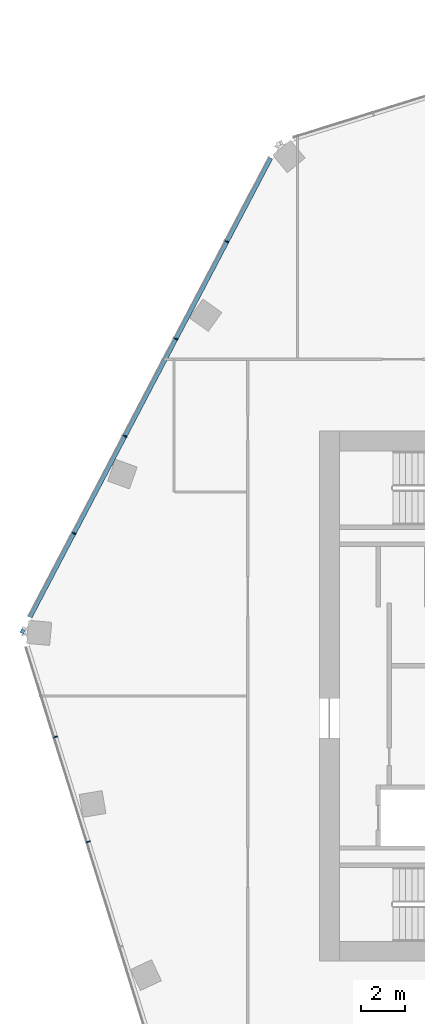
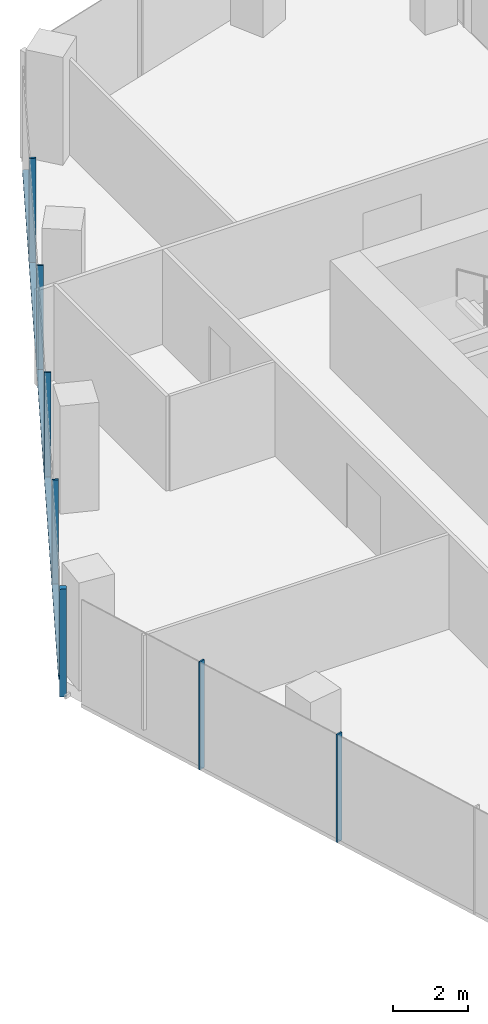
# One storey, part 5 of 23: 8 members, 2 elements without a shape of their own.
"""IFC4 building model written with IfcOpenShell, lengths in metres."""

from ifc_helpers import new_model, si_unit, direction, frame, origin, origin_2d, place, context, subcontext, project, spatial, rectangle, extrude, material, material_profile, profile_set, type_object, element, aggregate, save


model = new_model("IFC4")

# Units and contexts
model_context = context("Model", 3, precision=1e-05, world=origin(), true_north=direction((0.0, 1.0)))
body_context = subcontext(model_context, "Body", "Model", "MODEL_VIEW")
ifc_project = project(units=[si_unit("LENGTHUNIT", "METRE"), si_unit("AREAUNIT", "SQUARE_METRE"), si_unit("VOLUMEUNIT", "CUBIC_METRE"), si_unit("PLANEANGLEUNIT", "RADIAN"), si_unit("MASSUNIT", "GRAM", prefix="KILO")], contexts=[model_context])

# Site, building, storey
site_placement = place(None, origin())
site = spatial("IfcSite", under=ifc_project, at=site_placement, CompositionType="ELEMENT")
building_placement = place(site_placement, origin())
building = spatial("IfcBuilding", under=site, at=building_placement, Name="Orlundy Tower", CompositionType="ELEMENT")
storey_placement = place(building_placement, frame((0.0, 0.0, 264.0)))
storey = spatial("IfcBuildingStorey", under=building, at=storey_placement, Name="L70", CompositionType="ELEMENT", Elevation=264.0)

# Curtain wall, member
ifc_material_1 = material(Name="Aluminium bronze anodised", Category="aluminium")
curtain_wall_type = type_object("IfcCurtainWallType", Name="CW1 wall", PredefinedType="NOTDEFINED", material=ifc_material_1)
curtain_wall_1_placement = place(storey_placement, origin())
curtain_wall_1 = element("IfcCurtainWall", 1, at=curtain_wall_1_placement, inside=storey, type_object=curtain_wall_type, Name="CW1 run 02", PredefinedType="NOTDEFINED")
ifc_material_2 = material(Name="Aluminium bronze anodised", Category="aluminium")
ifc_material_profile_1 = material_profile(ifc_material_2, rectangle(XDim=0.179931640625, YDim=0.179931640625, at=origin_2d()), Name="CW1 corner post 180x180")
ifc_profile_set_1 = profile_set([ifc_material_profile_1], Name="Aluminium bronze anodised")
member_type_1 = type_object("IfcMemberType", Name="CW1 corner post 180x180", PredefinedType="MULLION", material=ifc_profile_set_1)
member_1_placement = place(storey_placement, frame((-32.43701171875, 2.932861328125, -0.39990234375), z_axis=(0.0, 0.0, 1.0), x_axis=(-0.885658998646, 0.464336233904, 0.0)))
member_1 = element("IfcMember", 2, at=member_1_placement, type_object=member_type_1, Name="CW1 mullion 8", PredefinedType="MULLION", context=body_context, shape_type="SweptSolid", body=[
    extrude(rectangle(XDim=0.179931640625, YDim=0.179931640625, at=origin_2d()), origin(), (0.0, 0.0, 1.0), 3.5),
])

# Curtain wall, members
curtain_wall_2_placement = place(storey_placement, origin())
curtain_wall_2 = element("IfcCurtainWall", 3, at=curtain_wall_2_placement, inside=storey, type_object=curtain_wall_type, Name="CW1 run 01", PredefinedType="NOTDEFINED")
ifc_material_3 = material(Name="Aluminium bronze anodised", Category="aluminium")
ifc_material_profile_2 = material_profile(ifc_material_3, rectangle(XDim=0.179931640625, YDim=0.050048828125, at=origin_2d()), Name="CW1 mullion 50x180")
ifc_profile_set_2 = profile_set([ifc_material_profile_2], Name="Aluminium bronze anodised")
member_type_2 = type_object("IfcMemberType", Name="CW1 mullion 50x180", PredefinedType="MULLION", material=ifc_profile_set_2)
member_2_placement = place(storey_placement, frame((-29.4638671875, -6.592529296875, -0.39990234375), z_axis=(0.0, 0.0, 1.0), x_axis=(-0.954580158408, -0.297954226643, 0.0)))
member_2 = element("IfcMember", 4, at=member_2_placement, type_object=member_type_2, Name="CW1 mullion 6", PredefinedType="MULLION", context=body_context, shape_type="SweptSolid", body=[
    extrude(rectangle(XDim=0.179931640625, YDim=0.050048828125, at=origin_2d()), origin(), (0.0, 0.0, 1.0), 3.5),
])
member_3_placement = place(storey_placement, frame((-30.94482421875, -1.84765625, -0.39990234375), z_axis=(0.0, 0.0, 1.0), x_axis=(-0.954580158408, -0.297954226643, 0.0)))
member_3 = element("IfcMember", 5, at=member_3_placement, type_object=member_type_2, Name="CW1 mullion 7", PredefinedType="MULLION", context=body_context, shape_type="SweptSolid", body=[
    extrude(rectangle(XDim=0.179931640625, YDim=0.050048828125, at=origin_2d()), origin(), (0.0, 0.0, 1.0), 3.5),
])
aggregate(curtain_wall_2, [member_2, member_3])

# Member
member_4_placement = place(storey_placement, frame((-30.11181640625, 7.367919921875, -0.39990234375), z_axis=(0.0, 0.0, 1.0), x_axis=(-0.885658998646, 0.464336233904, 0.0)))
member_4 = element("IfcMember", 6, at=member_4_placement, type_object=member_type_2, Name="CW1 mullion 9", PredefinedType="MULLION", context=body_context, shape_type="SweptSolid", body=[
    extrude(rectangle(XDim=0.179931640625, YDim=0.050048828125, at=origin_2d()), origin(), (0.0, 0.0, 1.0), 3.5),
])

member_5_placement = place(storey_placement, frame((-27.8037109375, 11.770263671875, -0.39990234375), z_axis=(0.0, 0.0, 1.0), x_axis=(-0.885658998646, 0.464336233904, 0.0)))
member_5 = element("IfcMember", 7, at=member_5_placement, type_object=member_type_2, Name="CW1 mullion 10", PredefinedType="MULLION", context=body_context, shape_type="SweptSolid", body=[
    extrude(rectangle(XDim=0.179931640625, YDim=0.050048828125, at=origin_2d()), origin(), (0.0, 0.0, 1.0), 3.5),
])

member_6_placement = place(storey_placement, frame((-25.49560546875, 16.17236328125, -0.39990234375), z_axis=(0.0, 0.0, 1.0), x_axis=(-0.885658998646, 0.464336233904, 0.0)))
member_6 = element("IfcMember", 8, at=member_6_placement, type_object=member_type_2, Name="CW1 mullion 11", PredefinedType="MULLION", context=body_context, shape_type="SweptSolid", body=[
    extrude(rectangle(XDim=0.179931640625, YDim=0.050048828125, at=origin_2d()), origin(), (0.0, 0.0, 1.0), 3.5),
])

member_7_placement = place(storey_placement, frame((-23.187744140625, 20.57470703125, -0.39990234375), z_axis=(0.0, 0.0, 1.0), x_axis=(-0.885658998646, 0.464336233904, 0.0)))
member_7 = element("IfcMember", 9, at=member_7_placement, type_object=member_type_2, Name="CW1 mullion 12", PredefinedType="MULLION", context=body_context, shape_type="SweptSolid", body=[
    extrude(rectangle(XDim=0.179931640625, YDim=0.050048828125, at=origin_2d()), origin(), (0.0, 0.0, 1.0), 3.5),
])

ifc_material_4 = material(Name="Aluminium bronze anodised", Category="aluminium")
ifc_material_profile_3 = material_profile(ifc_material_4, rectangle(XDim=0.179931640625, YDim=0.1201171875, at=origin_2d()), Name="CW1 transom 180x120")
ifc_profile_set_3 = profile_set([ifc_material_profile_3], Name="Aluminium bronze anodised")
member_type_3 = type_object("IfcMemberType", Name="CW1 transom 180x120", PredefinedType="USERDEFINED", material=ifc_profile_set_3)
member_8_placement = place(storey_placement, frame((-32.097412109375, 3.580322265625, -0.340087890625), z_axis=(0.464330802245, 0.885661846353, 0.0), x_axis=(-0.885661846353, 0.464330802245, 0.0)))
member_8 = element("IfcMember", 10, at=member_8_placement, type_object=member_type_3, Name="CW1 transom", ObjectType="TRANSOM", PredefinedType="USERDEFINED", context=body_context, shape_type="SweptSolid", body=[
    extrude(rectangle(XDim=0.179931640625, YDim=0.1201171875, at=origin_2d()), origin(), (0.0, 0.0, 1.0), 23.466064453125),
])

aggregate(curtain_wall_1, [member_1, member_4, member_5, member_6, member_7, member_8])

save(model, "model.ifc")
